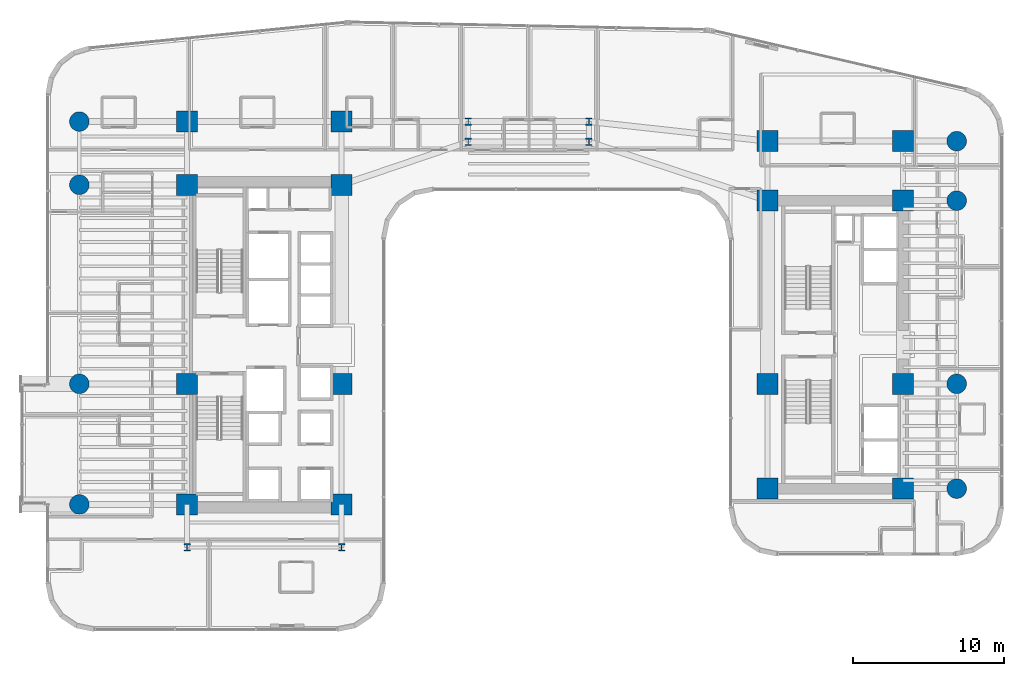
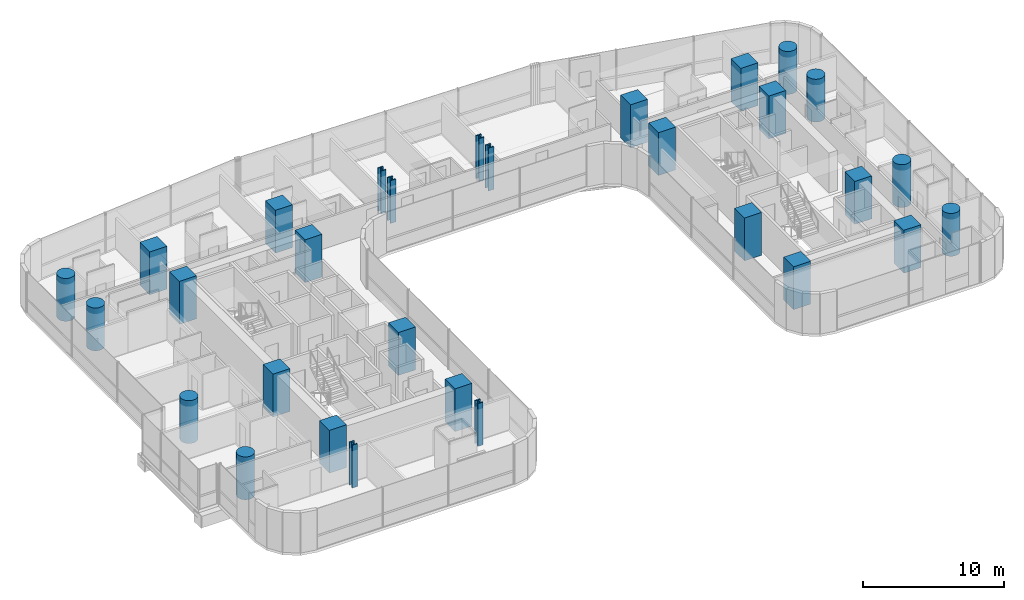
# One storey, part 1 of 42: 30 columns.
"""IFC4 building model written with IfcOpenShell, lengths in metres."""

from ifc_helpers import new_model, si_unit, direction, frame, origin, origin_2d, place, context, subcontext, project, spatial, rectangle, circle, i_section, extrude, source, transform, mapped, material, material_profile, profile_set, type_object, element, save


model = new_model("IFC4")

# Units and contexts
model_context = context("Model", 3, precision=1e-05, world=origin(), true_north=direction((0.0, 1.0)))
body_context = subcontext(model_context, "Body", "Model", "MODEL_VIEW")
ifc_project = project(units=[si_unit("LENGTHUNIT", "METRE"), si_unit("AREAUNIT", "SQUARE_METRE"), si_unit("VOLUMEUNIT", "CUBIC_METRE"), si_unit("PLANEANGLEUNIT", "RADIAN"), si_unit("MASSUNIT", "GRAM", prefix="KILO")], contexts=[model_context])

# Site, building, storey
site_placement = place(None, origin())
site = spatial("IfcSite", under=ifc_project, at=site_placement, CompositionType="ELEMENT")
building_placement = place(site_placement, origin())
building = spatial("IfcBuilding", under=site, at=building_placement, Name="Valdorenza Pilgrim Sanctuary Tower", CompositionType="ELEMENT")
storey_placement = place(building_placement, frame((0.0, 0.0, 29.699951171875)))
storey = spatial("IfcBuildingStorey", under=building, at=storey_placement, Name="L06", CompositionType="ELEMENT", Elevation=29.699951171875)

# Columns
ifc_material_1 = material(Name="Concrete C60/75", Category="concrete")
ifc_material_profile_1 = material_profile(ifc_material_1, circle(Radius=0.64990234375, at=origin_2d()), Name="RC D1300")
ifc_profile_set_1 = profile_set([ifc_material_profile_1], Name="Concrete C60/75")
column_type_1 = type_object("IfcColumnType", Name="COL-RND-1300", PredefinedType="COLUMN", material=ifc_profile_set_1)
shared_shape_1 = source(origin(), body_context, "Body", "SweptSolid", [
    extrude(circle(Radius=0.64990234375, at=origin_2d()), origin(), (0.0, 0.0, 1.0), 3.699951171875),
])
for number, where, z_axis, x_axis, name in (
    (1, (-29.800048828125, -10.60009765625, 0.0), (0.0, 0.0, 1.0), (1.0, 0.0, 0.0), "L06 Perimeter Column WA-W-S1"),
    (2, (-29.800048828125, -2.60009765625, 0.0), (0.0, 0.0, 1.0), (1.0, 0.0, 0.0), "L06 Perimeter Column WA-W-M0"),
    (3, (-29.800048828125, 10.60009765625, 0.0), (0.0, 0.0, 1.0), (1.0, 0.0, 0.0), "L06 Perimeter Column WA-W-N1"),
    (4, (-29.800048828125, 14.800048828125, 0.0), (0.0, 0.0, 1.0), (1.0, 0.0, 0.0), "L06 Perimeter Column WA-W-N2"),
    (5, (28.39990234375, -9.550048828125, 0.0), (0.0, 0.0, 1.0), (1.0, 0.0, 0.0), "L06 Perimeter Column WB-E-S1"),
    (6, (28.39990234375, -2.60009765625, 0.0), (0.0, 0.0, 1.0), (1.0, 0.0, 0.0), "L06 Perimeter Column WB-E-M0"),
    (7, (28.39990234375, 9.550048828125, 0.0), (0.0, 0.0, 1.0), (1.0, 0.0, 0.0), "L06 Perimeter Column WB-E-N1"),
    (8, (28.39990234375, 13.5, 0.0), (0.0, 0.0, 1.0), (1.0, 0.0, 0.0), "L06 Perimeter Column WB-E-N2"),
):
    element("IfcColumn", number, at=place(storey_placement, frame(where, z_axis=z_axis, x_axis=x_axis)), inside=storey, type_object=column_type_1, Name=name, PredefinedType="COLUMN", context=body_context, shape_type="MappedRepresentation", body=[
        mapped(shared_shape_1, transform((0.0, 0.0, 0.0), x_axis=(1.0, 0.0, 0.0), y_axis=(0.0, 1.0, 0.0), z_axis=(0.0, 0.0, 1.0), scale=1.0)),
    ])
ifc_material_profile_2 = material_profile(ifc_material_1, rectangle(XDim=1.39990234375, YDim=1.39990234375, at=origin_2d()), Name="RC 1400x1400")
ifc_profile_set_2 = profile_set([ifc_material_profile_2], Name="Concrete C60/75")
column_type_2 = type_object("IfcColumnType", Name="COL-Z1-1400", PredefinedType="COLUMN", material=ifc_profile_set_2)
shared_shape_2 = source(origin(), body_context, "Body", "SweptSolid", [
    extrude(rectangle(XDim=1.39990234375, YDim=1.39990234375, at=origin_2d()), origin(), (0.0, 0.0, 1.0), 3.699951171875),
])
for number, where, z_axis, x_axis, name in (
    (9, (-22.64990234375, -10.60009765625, 0.0), (0.0, 0.0, 1.0), (1.0, 0.0, 0.0), "L06 Column CA-W-S1"),
    (10, (-12.39990234375, -10.60009765625, 0.0), (0.0, 0.0, 1.0), (1.0, 0.0, 0.0), "L06 Column CA-E-S1"),
    (11, (-22.64990234375, -2.60009765625, 0.0), (0.0, 0.0, 1.0), (1.0, 0.0, 0.0), "L06 Column CA-W-M0"),
    (12, (-12.39990234375, -2.60009765625, 0.0), (0.0, 0.0, 1.0), (1.0, 0.0, 0.0), "L06 Column CA-E-M0"),
    (13, (-22.64990234375, 10.60009765625, 0.0), (0.0, 0.0, 1.0), (1.0, 0.0, 0.0), "L06 Column CA-W-N1"),
    (14, (-12.39990234375, 10.60009765625, 0.0), (0.0, 0.0, 1.0), (1.0, 0.0, 0.0), "L06 Column CA-E-N1"),
    (15, (-22.64990234375, 14.800048828125, 0.0), (0.0, 0.0, 1.0), (1.0, 0.0, 0.0), "L06 Column CA-W-N2"),
    (16, (-12.39990234375, 14.800048828125, 0.0), (0.0, 0.0, 1.0), (1.0, 0.0, 0.0), "L06 Column CA-E-N2"),
    (17, (15.85009765625, -9.550048828125, 0.0), (0.0, 0.0, 1.0), (1.0, 0.0, 0.0), "L06 Column CB-W-S1"),
    (18, (24.85009765625, -9.550048828125, 0.0), (0.0, 0.0, 1.0), (1.0, 0.0, 0.0), "L06 Column CB-E-S1"),
    (19, (15.85009765625, -2.60009765625, 0.0), (0.0, 0.0, 1.0), (1.0, 0.0, 0.0), "L06 Column CB-W-M0"),
    (20, (24.85009765625, -2.60009765625, 0.0), (0.0, 0.0, 1.0), (1.0, 0.0, 0.0), "L06 Column CB-E-M0"),
    (21, (15.85009765625, 9.550048828125, 0.0), (0.0, 0.0, 1.0), (1.0, 0.0, 0.0), "L06 Column CB-W-N1"),
    (22, (24.85009765625, 9.550048828125, 0.0), (0.0, 0.0, 1.0), (1.0, 0.0, 0.0), "L06 Column CB-E-N1"),
    (23, (15.85009765625, 13.5, 0.0), (0.0, 0.0, 1.0), (1.0, 0.0, 0.0), "L06 Column CB-W-N2"),
    (24, (24.85009765625, 13.5, 0.0), (0.0, 0.0, 1.0), (1.0, 0.0, 0.0), "L06 Column CB-E-N2"),
):
    element("IfcColumn", number, at=place(storey_placement, frame(where, z_axis=z_axis, x_axis=x_axis)), inside=storey, type_object=column_type_2, Name=name, PredefinedType="COLUMN", context=body_context, shape_type="MappedRepresentation", body=[
        mapped(shared_shape_2, transform((0.0, 0.0, 0.0), x_axis=(1.0, 0.0, 0.0), y_axis=(0.0, 1.0, 0.0), z_axis=(0.0, 0.0, 1.0), scale=1.0)),
    ])
ifc_material_2 = material(Name="Steel ASTM A992 Grade 50", Category="steel")
ifc_material_profile_3 = material_profile(ifc_material_2, i_section(OverallWidth=0.431884765625, OverallDepth=0.498046875, WebThickness=0.0556640625, FlangeThickness=0.0888671875, at=origin_2d()), Name="W14X500")
ifc_profile_set_3 = profile_set([ifc_material_profile_3], Name="Steel ASTM A992 Grade 50")
column_type_3 = type_object("IfcColumnType", Name="COL-STL-W500", PredefinedType="COLUMN", material=ifc_profile_set_3)
shared_shape_3 = source(origin(), body_context, "Body", "SweptSolid", [
    extrude(i_section(OverallWidth=0.431884765625, OverallDepth=0.498046875, WebThickness=0.0556640625, FlangeThickness=0.0888671875, at=origin_2d()), origin(), (0.0, 0.0, 1.0), 3.699951171875),
])
for number, where, z_axis, x_axis, name in (
    (25, (-22.64990234375, -13.449951171875, 0.0), (0.0, 0.0, 1.0), (1.0, 0.0, 0.0), "L06 Column WA-S-W"),
    (26, (-12.39990234375, -13.449951171875, 0.0), (0.0, 0.0, 1.0), (1.0, 0.0, 0.0), "L06 Column WA-S-E"),
    (27, (-4.0, 13.449951171875, 0.0), (0.0, 0.0, 1.0), (1.0, 0.0, 0.0), "L06 Column KNK-W1"),
    (28, (-4.0, 14.800048828125, 0.0), (0.0, 0.0, 1.0), (1.0, 0.0, 0.0), "L06 Column KNK-W2"),
    (29, (4.0, 13.449951171875, 0.0), (0.0, 0.0, 1.0), (1.0, 0.0, 0.0), "L06 Column KNK-E1"),
    (30, (4.0, 14.800048828125, 0.0), (0.0, 0.0, 1.0), (1.0, 0.0, 0.0), "L06 Column KNK-E2"),
):
    element("IfcColumn", number, at=place(storey_placement, frame(where, z_axis=z_axis, x_axis=x_axis)), inside=storey, type_object=column_type_3, Name=name, PredefinedType="COLUMN", context=body_context, shape_type="MappedRepresentation", body=[
        mapped(shared_shape_3, transform((0.0, 0.0, 0.0), x_axis=(1.0, 0.0, 0.0), y_axis=(0.0, 1.0, 0.0), z_axis=(0.0, 0.0, 1.0), scale=1.0)),
    ])

save(model, "model.ifc")
